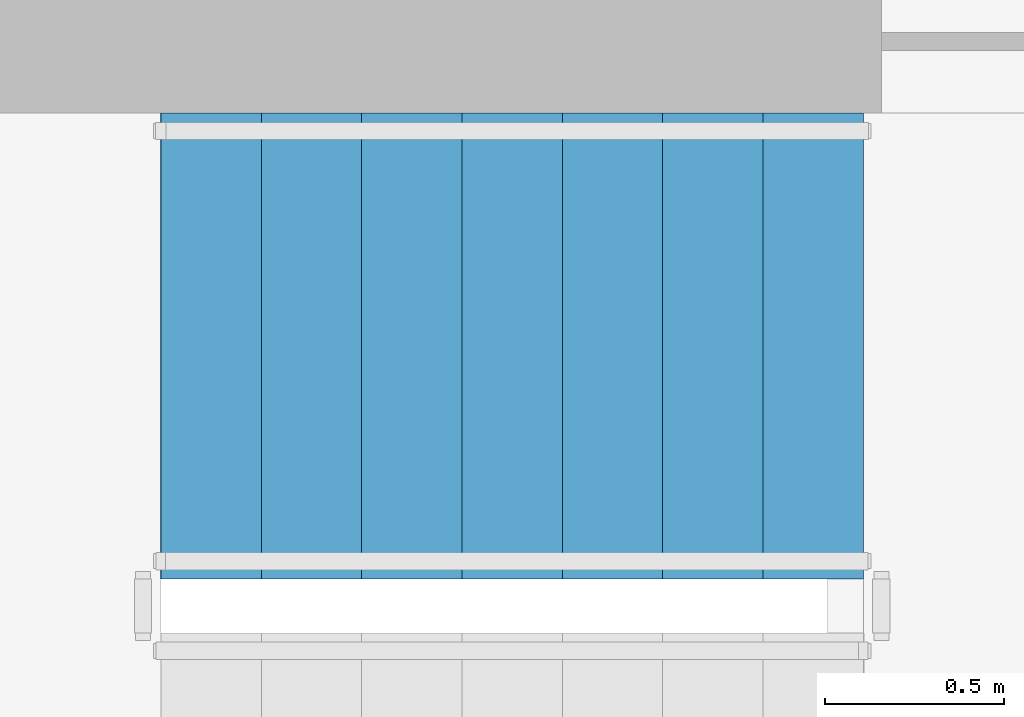
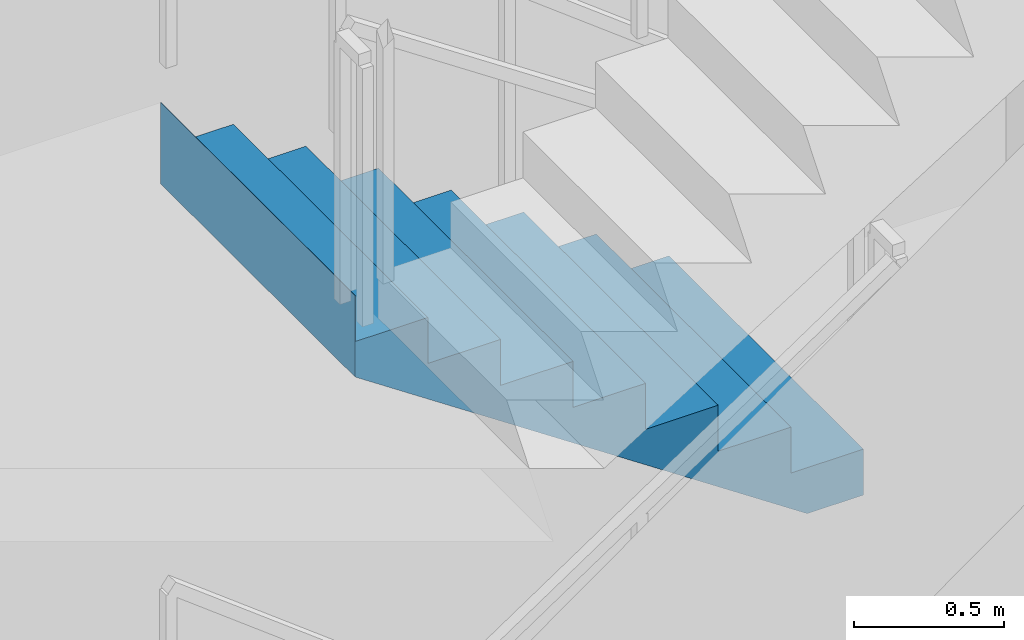
# One storey, part 21 of 27: 1 stair flight, 1 element without a shape of its own.
"""IFC4 building model written with IfcOpenShell, lengths in metres."""

from ifc_helpers import new_model, si_unit, direction, frame, origin, place, context, subcontext, project, spatial, triangles, material, type_object, element, aggregate, save


model = new_model("IFC4")

# Units and contexts
model_context = context("Model", 3, precision=1e-05, world=origin(), true_north=direction((0.0, 1.0)))
body_context = subcontext(model_context, "Body", "Model", "MODEL_VIEW")
ifc_project = project(units=[si_unit("LENGTHUNIT", "METRE"), si_unit("AREAUNIT", "SQUARE_METRE"), si_unit("VOLUMEUNIT", "CUBIC_METRE"), si_unit("PLANEANGLEUNIT", "RADIAN"), si_unit("MASSUNIT", "GRAM", prefix="KILO")], contexts=[model_context])

# Site, building, storey
site_placement = place(None, origin())
site = spatial("IfcSite", under=ifc_project, at=site_placement, CompositionType="ELEMENT")
building_placement = place(site_placement, origin())
building = spatial("IfcBuilding", under=site, at=building_placement, Name="Beryl Residences", CompositionType="ELEMENT")
storey_placement = place(building_placement, frame((0.0, 0.0, 111.60009765625)))
storey = spatial("IfcBuildingStorey", under=building, at=storey_placement, Name="L34", CompositionType="ELEMENT", Elevation=111.60009765625)

# Stair, stair flight
ifc_material_1 = material(Name="Concrete C40/50", Category="concrete")
stair_type = type_object("IfcStairType", Name="ST1 protected exit stair, half-turn, 1300 mm flights", PredefinedType="HALF_TURN_STAIR", material=ifc_material_1)
stair_placement = place(storey_placement, origin())
stair = element("IfcStair", 1, at=stair_placement, inside=storey, type_object=stair_type, Name="L34 PROTECTED EXIT STAIR ST-3", PredefinedType="HALF_TURN_STAIR")
ifc_material_2 = material(Name="Concrete C40/50", Category="concrete")
stair_flight_type = type_object("IfcStairFlightType", Name="SF1 stair flight 1300 mm", PredefinedType="STRAIGHT", material=ifc_material_2)
stair_flight_placement = place(storey_placement, frame((10.800048828125, -15.5, 3.0), z_axis=(0.0, 0.0, 1.0), x_axis=(-1.0, 0.0, 0.0)))
stair_flight = element("IfcStairFlight", 2, at=stair_flight_placement, type_object=stair_flight_type, Name="ST-3 flight 3", NumberOfRisers=8, NumberOfTreads=7, PredefinedType="STRAIGHT", RiserHeight=0.1875, TreadLength=0.28, context=body_context, shape_type="Tessellation", body=[
    triangles([(0.0, -0.64990234375, 0.0), (0.0, -0.324951171875, 0.0), (0.0, 0.0, 0.0), (0.0, 0.324951171875, 0.0), (0.0, 0.64990234375, 0.0), (0.0, -0.64990234375, 0.1875), (0.0, -0.324951171875, 0.1875), (0.0, 0.0, 0.1875), (0.0, 0.324951171875, 0.1875), (0.0, 0.64990234375, 0.1875), (0.280029296875, -0.64990234375, 0.1875), (0.280029296875, -0.324951171875, 0.1875), (0.280029296875, 0.0, 0.1875), (0.280029296875, 0.324951171875, 0.1875), (0.280029296875, 0.64990234375, 0.1875), (0.280029296875, -0.64990234375, 0.375), (0.280029296875, -0.324951171875, 0.375), (0.280029296875, 0.0, 0.375), (0.280029296875, 0.324951171875, 0.375), (0.280029296875, 0.64990234375, 0.375), (0.56005859375, -0.64990234375, 0.375), (0.56005859375, -0.324951171875, 0.375), (0.56005859375, 0.0, 0.375), (0.56005859375, 0.324951171875, 0.375), (0.56005859375, 0.64990234375, 0.375), (0.56005859375, -0.64990234375, 0.5625), (0.56005859375, -0.324951171875, 0.5625), (0.56005859375, 0.0, 0.5625), (0.56005859375, 0.324951171875, 0.5625), (0.56005859375, 0.64990234375, 0.5625), (0.840087890625, -0.64990234375, 0.5625), (0.840087890625, -0.324951171875, 0.5625), (0.840087890625, 0.0, 0.5625), (0.840087890625, 0.324951171875, 0.5625), (0.840087890625, 0.64990234375, 0.5625), (0.840087890625, -0.64990234375, 0.75), (0.840087890625, -0.324951171875, 0.75), (0.840087890625, 0.0, 0.75), (0.840087890625, 0.324951171875, 0.75), (0.840087890625, 0.64990234375, 0.75), (1.1201171875, -0.64990234375, 0.75), (1.1201171875, -0.324951171875, 0.75), (1.1201171875, 0.0, 0.75), (1.1201171875, 0.324951171875, 0.75), (1.1201171875, 0.64990234375, 0.75), (1.1201171875, -0.64990234375, 0.9375), (1.1201171875, -0.324951171875, 0.9375), (1.1201171875, 0.0, 0.9375), (1.1201171875, 0.324951171875, 0.9375), (1.1201171875, 0.64990234375, 0.9375), (1.39990234375, -0.64990234375, 0.9375), (1.39990234375, -0.324951171875, 0.9375), (1.39990234375, 0.0, 0.9375), (1.39990234375, 0.324951171875, 0.9375), (1.39990234375, 0.64990234375, 0.9375), (1.39990234375, -0.64990234375, 1.125), (1.39990234375, -0.324951171875, 1.125), (1.39990234375, 0.0, 1.125), (1.39990234375, 0.324951171875, 1.125), (1.39990234375, 0.64990234375, 1.125), (1.679931640625, -0.64990234375, 1.125), (1.679931640625, -0.324951171875, 1.125), (1.679931640625, 0.0, 1.125), (1.679931640625, 0.324951171875, 1.125), (1.679931640625, 0.64990234375, 1.125), (1.679931640625, -0.64990234375, 1.3125), (1.679931640625, -0.324951171875, 1.3125), (1.679931640625, 0.0, 1.3125), (1.679931640625, 0.324951171875, 1.3125), (1.679931640625, 0.64990234375, 1.3125), (1.9599609375, -0.64990234375, 1.3125), (1.9599609375, -0.324951171875, 1.3125), (1.9599609375, 0.0, 1.3125), (1.9599609375, 0.324951171875, 1.3125), (1.9599609375, 0.64990234375, 1.3125), (1.9599609375, -0.64990234375, 1.5), (1.9599609375, -0.324951171875, 1.5), (1.9599609375, 0.0, 1.5), (1.9599609375, 0.324951171875, 1.5), (1.9599609375, 0.64990234375, 1.5), (1.9609375, -0.64990234375, 1.5), (1.9609375, -0.324951171875, 1.5), (1.9609375, 0.0, 1.5), (1.9609375, 0.324951171875, 1.5), (1.9609375, 0.64990234375, 1.5), (1.9609375, -0.64990234375, 1.16796875), (1.9609375, -0.324951171875, 1.16796875), (1.9609375, 0.0, 1.16796875), (1.9609375, 0.324951171875, 1.16796875), (1.9609375, 0.64990234375, 1.16796875), (0.216796875, -0.64990234375, 0.0), (0.216796875, -0.324951171875, 0.0), (0.216796875, 0.0, 0.0), (0.216796875, 0.324951171875, 0.0), (0.216796875, 0.64990234375, 0.0)], [[1, 6, 7], [1, 7, 2], [2, 7, 8], [2, 8, 3], [3, 8, 9], [3, 9, 4], [4, 9, 10], [4, 10, 5], [6, 11, 12], [6, 12, 7], [7, 12, 13], [7, 13, 8], [8, 13, 14], [8, 14, 9], [9, 14, 15], [9, 15, 10], [11, 16, 17], [11, 17, 12], [12, 17, 18], [12, 18, 13], [13, 18, 19], [13, 19, 14], [14, 19, 20], [14, 20, 15], [16, 21, 22], [16, 22, 17], [17, 22, 23], [17, 23, 18], [18, 23, 24], [18, 24, 19], [19, 24, 25], [19, 25, 20], [21, 26, 27], [21, 27, 22], [22, 27, 28], [22, 28, 23], [23, 28, 29], [23, 29, 24], [24, 29, 30], [24, 30, 25], [26, 31, 32], [26, 32, 27], [27, 32, 33], [27, 33, 28], [28, 33, 34], [28, 34, 29], [29, 34, 35], [29, 35, 30], [31, 36, 37], [31, 37, 32], [32, 37, 38], [32, 38, 33], [33, 38, 39], [33, 39, 34], [34, 39, 40], [34, 40, 35], [36, 41, 42], [36, 42, 37], [37, 42, 43], [37, 43, 38], [38, 43, 44], [38, 44, 39], [39, 44, 45], [39, 45, 40], [41, 46, 47], [41, 47, 42], [42, 47, 48], [42, 48, 43], [43, 48, 49], [43, 49, 44], [44, 49, 50], [44, 50, 45], [46, 51, 52], [46, 52, 47], [47, 52, 53], [47, 53, 48], [48, 53, 54], [48, 54, 49], [49, 54, 55], [49, 55, 50], [51, 56, 57], [51, 57, 52], [52, 57, 58], [52, 58, 53], [53, 58, 59], [53, 59, 54], [54, 59, 60], [54, 60, 55], [56, 61, 62], [56, 62, 57], [57, 62, 63], [57, 63, 58], [58, 63, 64], [58, 64, 59], [59, 64, 65], [59, 65, 60], [61, 66, 67], [61, 67, 62], [62, 67, 68], [62, 68, 63], [63, 68, 69], [63, 69, 64], [64, 69, 70], [64, 70, 65], [66, 71, 72], [66, 72, 67], [67, 72, 73], [67, 73, 68], [68, 73, 74], [68, 74, 69], [69, 74, 75], [69, 75, 70], [71, 76, 77], [71, 77, 72], [72, 77, 78], [72, 78, 73], [73, 78, 79], [73, 79, 74], [74, 79, 80], [74, 80, 75], [76, 81, 82], [76, 82, 77], [77, 82, 83], [77, 83, 78], [78, 83, 84], [78, 84, 79], [79, 84, 85], [79, 85, 80], [81, 86, 87], [81, 87, 82], [82, 87, 88], [82, 88, 83], [83, 88, 89], [83, 89, 84], [84, 89, 90], [84, 90, 85], [86, 91, 92], [86, 92, 87], [87, 92, 93], [87, 93, 88], [88, 93, 94], [88, 94, 89], [89, 94, 95], [89, 95, 90], [91, 1, 2], [91, 2, 92], [92, 2, 3], [92, 3, 93], [93, 3, 4], [93, 4, 94], [94, 4, 5], [94, 5, 95], [1, 91, 86], [5, 90, 95], [86, 81, 76], [90, 80, 85], [86, 76, 71], [90, 75, 80], [86, 71, 66], [90, 70, 75], [86, 66, 61], [90, 65, 70], [61, 56, 51], [65, 55, 60], [86, 61, 51], [90, 55, 65], [51, 46, 41], [55, 45, 50], [86, 51, 41], [90, 45, 55], [41, 36, 31], [45, 35, 40], [86, 41, 31], [90, 35, 45], [31, 26, 21], [35, 25, 30], [86, 31, 21], [90, 25, 35], [21, 16, 11], [25, 15, 20], [86, 21, 11], [90, 15, 25], [1, 86, 11], [5, 15, 90], [11, 6, 1], [15, 5, 10]], closed=True),
])
aggregate(stair, [stair_flight])

save(model, "model.ifc")
